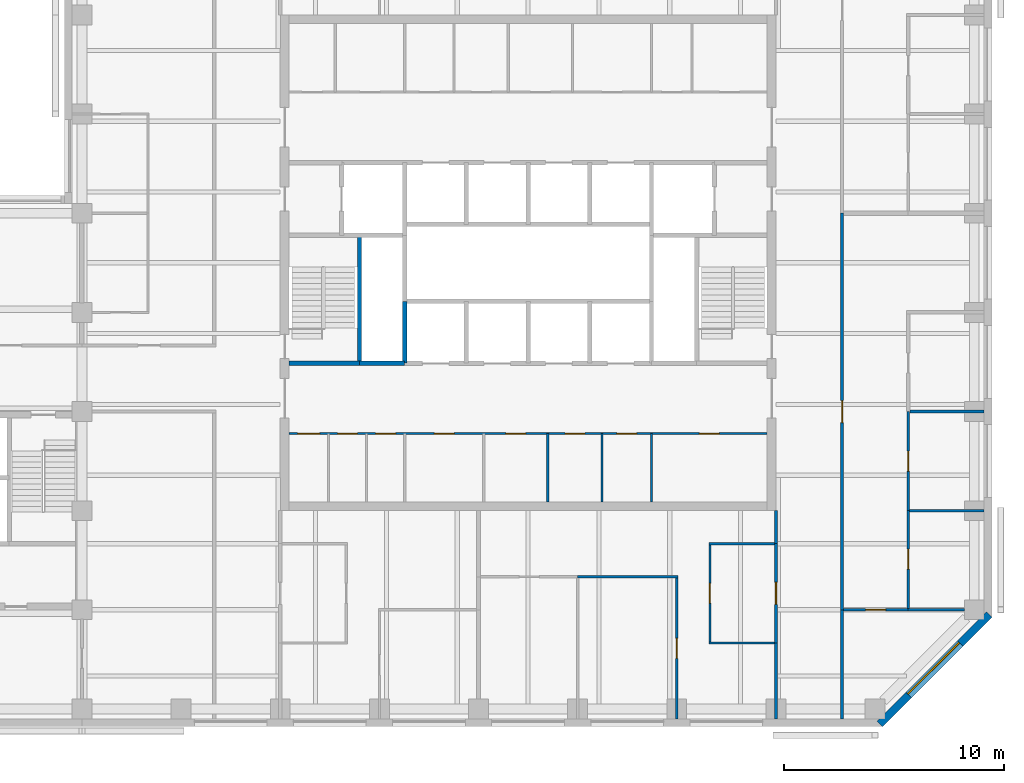
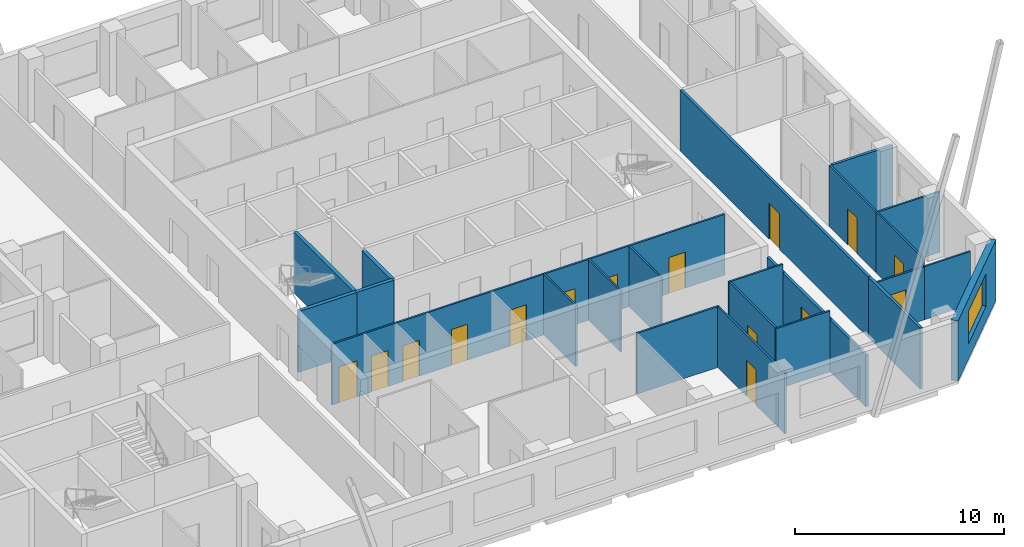
# One storey, part 5 of 10: 25 walls, 15 doors, 1 window, 16 openings.
"""IFC4 building model written with IfcOpenShell, lengths in metres."""

from ifc_helpers import new_model, si_unit, direction, frame, frame_2d, origin, place, context, subcontext, project, spatial, rectangle, extrude, material, layer, layer_set, constituent, constituent_set, type_object, element, fill, save


model = new_model("IFC4")

# Units and contexts
model_context = context("Model", 3, precision=1e-05, world=origin(), true_north=direction((0.0, 1.0)))
body_context = subcontext(model_context, "Body", "Model", "MODEL_VIEW")
ifc_project = project(units=[si_unit("LENGTHUNIT", "METRE"), si_unit("AREAUNIT", "SQUARE_METRE"), si_unit("VOLUMEUNIT", "CUBIC_METRE"), si_unit("PLANEANGLEUNIT", "RADIAN"), si_unit("MASSUNIT", "GRAM", prefix="KILO")], contexts=[model_context])

# Site, building, storey
site_placement = place(None, origin())
site = spatial("IfcSite", under=ifc_project, at=site_placement, CompositionType="ELEMENT")
building_placement = place(site_placement, origin())
building = spatial("IfcBuilding", under=site, at=building_placement, Name="Quoin Convention Tower", CompositionType="ELEMENT")
storey_placement = place(building_placement, frame((0.0, 0.0, 234.10009765625)))
storey = spatial("IfcBuildingStorey", under=building, at=storey_placement, Name="L61", CompositionType="ELEMENT", Elevation=234.10009765625)

# Wall
ifc_material_1 = material(Name="Plasterboard")
ifc_layer_1 = layer(ifc_material_1, 0.012451171875, Name="Finish")
ifc_material_2 = material(Name="Steel stud framing", Category="steel")
ifc_layer_2 = layer(ifc_material_2, 0.125, Name="Structure")
ifc_layer_3 = layer(ifc_material_1, 0.012451171875, Name="Finish")
ifc_layer_set_1 = layer_set([ifc_layer_1, ifc_layer_2, ifc_layer_3], Name="Steel stud framing")
wall_type_1 = type_object("IfcWallType", Name="Acoustic partition 150", PredefinedType="PARTITIONING", material=ifc_layer_set_1)
wall_1_placement = place(storey_placement, frame((73.574951171875, 54.0, 0.0), z_axis=(0.0, 0.0, 1.0), x_axis=(1.0, 0.0, 0.0)))
element("IfcWall", 1, at=wall_1_placement, inside=storey, type_object=wall_type_1, Name="pw-L61-017", PredefinedType="PARTITIONING", context=body_context, shape_type="SweptSolid", body=[
    extrude(rectangle(XDim=3.375, YDim=0.14990234375, at=frame_2d((1.6875, 0.0))), origin(), (0.0, 0.0, 1.0), 3.5498046875),
])

# Wall, opening, window
ifc_material_3 = material(Name="Brick masonry", Category="masonry")
ifc_layer_4 = layer(ifc_material_3, 0.35009765625)
ifc_layer_set_2 = layer_set([ifc_layer_4], Name="Brick masonry")
wall_type_2 = type_object("IfcWallType", Name="Brick facade wall", PredefinedType="STANDARD", material=ifc_layer_set_2)
wall_2_placement = place(storey_placement, frame((72.20751953125, 39.82373046875, 0.0), z_axis=(0.0, 0.0, 1.0), x_axis=(0.707106781187, 0.707106781187, 0.0)))
wall_2 = element("IfcWall", 2, at=wall_2_placement, inside=storey, type_object=wall_type_2, Name="fw-L61-72000_40500", PredefinedType="STANDARD", context=body_context, shape_type="SweptSolid", body=[
    extrude(rectangle(XDim=7.02685546875, YDim=0.35009765625, at=frame_2d((3.513427734375, 0.0))), origin(), (0.0, 0.0, 1.0), 3.52490234375),
])
opening_1_placement = place(wall_2_placement, frame((1.86328125, 0.0, 0.89990234375)))
opening_1 = element("IfcOpeningElement", 3, at=opening_1_placement, cuts=wall_2, Name="Opening W-02", PredefinedType="OPENING", context=body_context, shape_type="SweptSolid", body=[
    extrude(rectangle(XDim=3.300048828125, YDim=1.89990234375, at=frame_2d((1.64990234375, 0.949951171875))), frame((0.0, 0.18505859375, 0.0), z_axis=(0.0, -1.0, 0.0), x_axis=(1.0, 0.0, 0.0)), (0.0, 0.0, 1.0), 0.3701171875),
])
ifc_material_4 = material(Name="Aluminium", Category="aluminium")
ifc_constituent_1 = constituent(ifc_material_4, Name="Frame")
ifc_material_5 = material(Name="Insulated glass", Category="glass")
ifc_constituent_2 = constituent(ifc_material_5, Name="Glazing")
ifc_constituent_set = constituent_set(constituents=[ifc_constituent_1, ifc_constituent_2], Name="Aluminium")
window_type = type_object("IfcWindowType", Name="Office window", PartitioningType="DOUBLE_PANEL_VERTICAL", PredefinedType="WINDOW", material=ifc_constituent_set)
window_placement = place(opening_1_placement, origin())
window = element("IfcWindow", 4, at=window_placement, inside=storey, type_object=window_type, Name="win-L61-74692_42308", OverallHeight=1.89990234375, OverallWidth=3.300048828125, PartitioningType="SINGLE_PANEL", PredefinedType="WINDOW", context=body_context, shape_type="SweptSolid", body=[
    extrude(rectangle(XDim=3.300048828125, YDim=1.89990234375, at=frame_2d((1.64990234375, 0.949951171875))), frame((0.0, 0.0849609375, 0.0), z_axis=(0.0, -1.0, 0.0), x_axis=(1.0, 0.0, 0.0)), (0.0, 0.0, 1.0), 0.06005859375),
])
fill(opening_1, window)

# Wall, openings, doors
ifc_layer_5 = layer(ifc_material_1, 0.012451171875, Name="Finish")
ifc_layer_6 = layer(ifc_material_2, 0.074951171875, Name="Structure")
ifc_layer_7 = layer(ifc_material_1, 0.012451171875, Name="Finish")
ifc_layer_set_3 = layer_set([ifc_layer_5, ifc_layer_6, ifc_layer_7], Name="Steel stud framing")
wall_type_3 = type_object("IfcWallType", Name="Core partition wall", PredefinedType="PARTITIONING", material=ifc_layer_set_3)
wall_3_placement = place(storey_placement, frame((45.39990234375, 53.0, 0.0), z_axis=(0.0, 0.0, 1.0), x_axis=(1.0, 0.0, 0.0)))
wall_3 = element("IfcWall", 5, at=wall_3_placement, inside=storey, type_object=wall_type_3, Name="cr-C1-L61-h3500_400", PredefinedType="PARTITIONING", context=body_context, shape_type="SweptSolid", body=[
    extrude(rectangle(XDim=21.7001953125, YDim=0.10009765625, at=frame_2d((10.85009765625, 0.0))), origin(), (0.0, 0.0, 1.0), 3.5498046875),
])
opening_2_placement = place(wall_3_placement, frame((18.625, 0.0, 0.0)))
opening_2 = element("IfcOpeningElement", 6, at=opening_2_placement, cuts=wall_3, Name="Opening DCV3-30", PredefinedType="OPENING", context=body_context, shape_type="SweptSolid", body=[
    extrude(rectangle(XDim=0.89990234375, YDim=2.10009765625, at=frame_2d((0.449951171875, 1.050048828125))), frame((0.0, 0.06005859375, 0.0), z_axis=(0.0, -1.0, 0.0), x_axis=(1.0, 0.0, 0.0)), (0.0, 0.0, 1.0), 0.1201171875),
])
opening_3_placement = place(wall_3_placement, frame((0.392578125, 0.0, 0.0)))
opening_3 = element("IfcOpeningElement", 7, at=opening_3_placement, cuts=wall_3, Name="Opening DCV3-21", PredefinedType="OPENING", context=body_context, shape_type="SweptSolid", body=[
    extrude(rectangle(XDim=1.0, YDim=2.10009765625, at=frame_2d((0.5, 1.050048828125))), frame((0.0, 0.06005859375, 0.0), z_axis=(0.0, -1.0, 0.0), x_axis=(1.0, 0.0, 0.0)), (0.0, 0.0, 1.0), 0.1201171875),
])
opening_4_placement = place(wall_3_placement, frame((2.201416015625, 0.0, 0.0)))
opening_4 = element("IfcOpeningElement", 8, at=opening_4_placement, cuts=wall_3, Name="Opening DCV3-22", PredefinedType="OPENING", context=body_context, shape_type="SweptSolid", body=[
    extrude(rectangle(XDim=0.89990234375, YDim=2.10009765625, at=frame_2d((0.449951171875, 1.050048828125))), frame((0.0, 0.06005859375, 0.0), z_axis=(0.0, -1.0, 0.0), x_axis=(1.0, 0.0, 0.0)), (0.0, 0.0, 1.0), 0.1201171875),
])
opening_5_placement = place(wall_3_placement, frame((3.93359375, 0.0, 0.0)))
opening_5 = element("IfcOpeningElement", 9, at=opening_5_placement, cuts=wall_3, Name="Opening DCV3-23", PredefinedType="OPENING", context=body_context, shape_type="SweptSolid", body=[
    extrude(rectangle(XDim=0.89990234375, YDim=2.10009765625, at=frame_2d((0.449951171875, 1.050048828125))), frame((0.0, 0.06005859375, 0.0), z_axis=(0.0, -1.0, 0.0), x_axis=(1.0, 0.0, 0.0)), (0.0, 0.0, 1.0), 0.1201171875),
])
opening_6_placement = place(wall_3_placement, frame((6.592041015625, 0.0, 0.0)))
opening_6 = element("IfcOpeningElement", 10, at=opening_6_placement, cuts=wall_3, Name="Opening DCV3-24", PredefinedType="OPENING", context=body_context, shape_type="SweptSolid", body=[
    extrude(rectangle(XDim=0.89990234375, YDim=2.10009765625, at=frame_2d((0.449951171875, 1.050048828125))), frame((0.0, 0.06005859375, 0.0), z_axis=(0.0, -1.0, 0.0), x_axis=(1.0, 0.0, 0.0)), (0.0, 0.0, 1.0), 0.1201171875),
])
opening_7_placement = place(wall_3_placement, frame((9.840087890625, 0.0, 0.0)))
opening_7 = element("IfcOpeningElement", 11, at=opening_7_placement, cuts=wall_3, Name="Opening DCV3-26", PredefinedType="OPENING", context=body_context, shape_type="SweptSolid", body=[
    extrude(rectangle(XDim=0.89990234375, YDim=2.10009765625, at=frame_2d((0.449951171875, 1.050048828125))), frame((0.0, 0.06005859375, 0.0), z_axis=(0.0, -1.0, 0.0), x_axis=(1.0, 0.0, 0.0)), (0.0, 0.0, 1.0), 0.1201171875),
])
opening_8_placement = place(wall_3_placement, frame((12.528076171875, 0.0, 0.0)))
opening_8 = element("IfcOpeningElement", 12, at=opening_8_placement, cuts=wall_3, Name="Opening DCV3-27", PredefinedType="OPENING", context=body_context, shape_type="SweptSolid", body=[
    extrude(rectangle(XDim=0.89990234375, YDim=2.10009765625, at=frame_2d((0.449951171875, 1.050048828125))), frame((0.0, 0.06005859375, 0.0), z_axis=(0.0, -1.0, 0.0), x_axis=(1.0, 0.0, 0.0)), (0.0, 0.0, 1.0), 0.1201171875),
])
opening_9_placement = place(wall_3_placement, frame((14.8798828125, 0.0, 0.0)))
opening_9 = element("IfcOpeningElement", 13, at=opening_9_placement, cuts=wall_3, Name="Opening DCV3-29", PredefinedType="OPENING", context=body_context, shape_type="SweptSolid", body=[
    extrude(rectangle(XDim=0.89990234375, YDim=2.10009765625, at=frame_2d((0.449951171875, 1.050048828125))), frame((0.0, 0.06005859375, 0.0), z_axis=(0.0, -1.0, 0.0), x_axis=(1.0, 0.0, 0.0)), (0.0, 0.0, 1.0), 0.1201171875),
])
ifc_material_6 = material(Name="Steel door leaf", Category="steel")
door_type_1 = type_object("IfcDoorType", Name="Core room door 1000 x 2100", OperationType="SINGLE_SWING_LEFT", PredefinedType="DOOR", material=ifc_material_6)
door_1_placement = place(opening_3_placement, frame((1.0, 0.0, 0.0), z_axis=(0.0, 0.0, 1.0), x_axis=(-1.0, 0.0, 0.0)))
door_1 = element("IfcDoor", 14, at=door_1_placement, inside=storey, type_object=door_type_1, Name="cd-C1-L61-CSW0-lobA-CD6112", OperationType="SINGLE_SWING_LEFT", OverallHeight=2.10009765625, OverallWidth=1.0, PredefinedType="DOOR", context=body_context, shape_type="SweptSolid", body=[
    extrude(rectangle(XDim=1.0, YDim=2.10009765625, at=frame_2d((0.5, 1.050048828125))), frame((0.0, 0.02490234375, 0.0), z_axis=(0.0, -1.0, 0.0), x_axis=(1.0, 0.0, 0.0)), (0.0, 0.0, 1.0), 0.050048828125),
])
fill(opening_3, door_1)
door_type_2 = type_object("IfcDoorType", Name="Core room door 900 x 2100", OperationType="SINGLE_SWING_LEFT", PredefinedType="DOOR", material=ifc_material_6)
door_2_placement = place(opening_2_placement, frame((0.89990234375, 0.0, 0.0), z_axis=(0.0, 0.0, 1.0), x_axis=(-1.0, 0.0, 0.0)))
door_2 = element("IfcDoor", 15, at=door_2_placement, inside=storey, type_object=door_type_2, Name="cd-C1-L61-CSE0-lobA-CD6111", OperationType="SINGLE_SWING_RIGHT", OverallHeight=2.10009765625, OverallWidth=0.89990234375, PredefinedType="DOOR", context=body_context, shape_type="SweptSolid", body=[
    extrude(rectangle(XDim=0.89990234375, YDim=2.10009765625, at=frame_2d((0.449951171875, 1.050048828125))), frame((0.0, 0.02490234375, 0.0), z_axis=(0.0, -1.0, 0.0), x_axis=(1.0, 0.0, 0.0)), (0.0, 0.0, 1.0), 0.050048828125),
])
fill(opening_2, door_2)
door_3_placement = place(opening_4_placement, frame((0.89990234375, 0.0, 0.0), z_axis=(0.0, 0.0, 1.0), x_axis=(-1.0, 0.0, 0.0)))
door_3 = element("IfcDoor", 16, at=door_3_placement, inside=storey, type_object=door_type_2, Name="cd-C1-L61-CSW1-lobA-CD6113", OperationType="SINGLE_SWING_LEFT", OverallHeight=2.10009765625, OverallWidth=0.89990234375, PredefinedType="DOOR", context=body_context, shape_type="SweptSolid", body=[
    extrude(rectangle(XDim=0.89990234375, YDim=2.10009765625, at=frame_2d((0.449951171875, 1.050048828125))), frame((0.0, 0.02490234375, 0.0), z_axis=(0.0, -1.0, 0.0), x_axis=(1.0, 0.0, 0.0)), (0.0, 0.0, 1.0), 0.050048828125),
])
fill(opening_4, door_3)
door_4_placement = place(opening_5_placement, frame((0.89990234375, 0.0, 0.0), z_axis=(0.0, 0.0, 1.0), x_axis=(-1.0, 0.0, 0.0)))
door_4 = element("IfcDoor", 17, at=door_4_placement, inside=storey, type_object=door_type_2, Name="cd-C1-L61-CSW2-lobA-CD6114", OperationType="SINGLE_SWING_LEFT", OverallHeight=2.10009765625, OverallWidth=0.89990234375, PredefinedType="DOOR", context=body_context, shape_type="SweptSolid", body=[
    extrude(rectangle(XDim=0.89990234375, YDim=2.10009765625, at=frame_2d((0.449951171875, 1.050048828125))), frame((0.0, 0.02490234375, 0.0), z_axis=(0.0, -1.0, 0.0), x_axis=(1.0, 0.0, 0.0)), (0.0, 0.0, 1.0), 0.050048828125),
])
fill(opening_5, door_4)
door_5_placement = place(opening_6_placement, frame((0.89990234375, 0.0, 0.0), z_axis=(0.0, 0.0, 1.0), x_axis=(-1.0, 0.0, 0.0)))
door_5 = element("IfcDoor", 18, at=door_5_placement, inside=storey, type_object=door_type_2, Name="cd-C1-L61-F10-lobA-CD6115", OperationType="SINGLE_SWING_LEFT", OverallHeight=2.10009765625, OverallWidth=0.89990234375, PredefinedType="DOOR", context=body_context, shape_type="SweptSolid", body=[
    extrude(rectangle(XDim=0.89990234375, YDim=2.10009765625, at=frame_2d((0.449951171875, 1.050048828125))), frame((0.0, 0.02490234375, 0.0), z_axis=(0.0, -1.0, 0.0), x_axis=(1.0, 0.0, 0.0)), (0.0, 0.0, 1.0), 0.050048828125),
])
fill(opening_6, door_5)
door_6_placement = place(opening_7_placement, frame((0.89990234375, 0.0, 0.0), z_axis=(0.0, 0.0, 1.0), x_axis=(-1.0, 0.0, 0.0)))
door_6 = element("IfcDoor", 19, at=door_6_placement, inside=storey, type_object=door_type_2, Name="cd-C1-L61-F11-lobA-CD6116", OperationType="SINGLE_SWING_LEFT", OverallHeight=2.10009765625, OverallWidth=0.89990234375, PredefinedType="DOOR", context=body_context, shape_type="SweptSolid", body=[
    extrude(rectangle(XDim=0.89990234375, YDim=2.10009765625, at=frame_2d((0.449951171875, 1.050048828125))), frame((0.0, 0.02490234375, 0.0), z_axis=(0.0, -1.0, 0.0), x_axis=(1.0, 0.0, 0.0)), (0.0, 0.0, 1.0), 0.050048828125),
])
fill(opening_7, door_6)
door_7_placement = place(opening_8_placement, frame((0.89990234375, 0.0, 0.0), z_axis=(0.0, 0.0, 1.0), x_axis=(-1.0, 0.0, 0.0)))
door_7 = element("IfcDoor", 20, at=door_7_placement, inside=storey, type_object=door_type_2, Name="cd-C1-L61-F12-lobA-CD6117", OperationType="SINGLE_SWING_LEFT", OverallHeight=2.10009765625, OverallWidth=0.89990234375, PredefinedType="DOOR", context=body_context, shape_type="SweptSolid", body=[
    extrude(rectangle(XDim=0.89990234375, YDim=2.10009765625, at=frame_2d((0.449951171875, 1.050048828125))), frame((0.0, 0.02490234375, 0.0), z_axis=(0.0, -1.0, 0.0), x_axis=(1.0, 0.0, 0.0)), (0.0, 0.0, 1.0), 0.050048828125),
])
fill(opening_8, door_7)
door_8_placement = place(opening_9_placement, frame((0.89990234375, 0.0, 0.0), z_axis=(0.0, 0.0, 1.0), x_axis=(-1.0, 0.0, 0.0)))
door_8 = element("IfcDoor", 21, at=door_8_placement, inside=storey, type_object=door_type_2, Name="cd-C1-L61-F13-lobA-CD6118", OperationType="SINGLE_SWING_LEFT", OverallHeight=2.10009765625, OverallWidth=0.89990234375, PredefinedType="DOOR", context=body_context, shape_type="SweptSolid", body=[
    extrude(rectangle(XDim=0.89990234375, YDim=2.10009765625, at=frame_2d((0.449951171875, 1.050048828125))), frame((0.0, 0.02490234375, 0.0), z_axis=(0.0, -1.0, 0.0), x_axis=(1.0, 0.0, 0.0)), (0.0, 0.0, 1.0), 0.050048828125),
])
fill(opening_9, door_8)

# Walls
for number, where, z_axis, x_axis, name in (
    (22, (57.14599609375, 49.89990234375, 0.0), (0.0, 0.0, 1.0), (0.0, 1.0, 0.0), "cr-C1-L61-v12146_400"),
    (23, (59.610107421875, 49.89990234375, 0.0), (0.0, 0.0, 1.0), (0.0, 1.0, 0.0), "cr-C1-L61-v14610_400"),
    (24, (61.85009765625, 49.89990234375, 0.0), (0.0, 0.0, 1.0), (0.0, 1.0, 0.0), "cr-C1-L61-v16850_400"),
):
    element("IfcWall", number, at=place(storey_placement, frame(where, z_axis=z_axis, x_axis=x_axis)), inside=storey, type_object=wall_type_3, Name=name, PredefinedType="PARTITIONING", context=body_context, shape_type="SweptSolid", body=[
        extrude(rectangle(XDim=3.10009765625, YDim=0.10009765625, at=frame_2d((1.550048828125, 0.0))), origin(), (0.0, 0.0, 1.0), 3.5498046875),
    ])
ifc_material_7 = material(Name="Concrete C50", Category="concrete")
ifc_layer_8 = layer(ifc_material_7, 0.199951171875)
ifc_layer_set_4 = layer_set([ifc_layer_8], Name="Concrete C50")
wall_type_4 = type_object("IfcWallType", Name="Core shaft wall", PredefinedType="SOLIDWALL", material=ifc_layer_set_4)
wall_4_placement = place(storey_placement, frame((48.60009765625, 56.199951171875, 0.0), z_axis=(0.0, 0.0, 1.0), x_axis=(1.0, 0.0, 0.0)))
element("IfcWall", 25, at=wall_4_placement, inside=storey, type_object=wall_type_4, Name="cr-C1-L61-h6700_3600", PredefinedType="SOLIDWALL", context=body_context, shape_type="SweptSolid", body=[
    extrude(rectangle(XDim=2.0498046875, YDim=0.199951171875, at=frame_2d((1.02490234375, 0.0))), origin(), (0.0, 0.0, 1.0), 3.5498046875),
])
wall_5_placement = place(storey_placement, frame((45.39990234375, 56.199951171875, 0.0), z_axis=(0.0, 0.0, 1.0), x_axis=(1.0, 0.0, 0.0)))
element("IfcWall", 26, at=wall_5_placement, inside=storey, type_object=wall_type_4, Name="cr-C1-L61-h6700_400", PredefinedType="SOLIDWALL", context=body_context, shape_type="SweptSolid", body=[
    extrude(rectangle(XDim=3.2001953125, YDim=0.199951171875, at=frame_2d((1.60009765625, 0.0))), origin(), (0.0, 0.0, 1.0), 3.5498046875),
])
wall_6_placement = place(storey_placement, frame((48.60009765625, 56.199951171875, 0.0), z_axis=(0.0, 0.0, 1.0), x_axis=(0.0, 1.0, 0.0)))
element("IfcWall", 27, at=wall_6_placement, inside=storey, type_object=wall_type_4, Name="cr-C1-L61-v3600_6700", PredefinedType="SOLIDWALL", context=body_context, shape_type="SweptSolid", body=[
    extrude(rectangle(XDim=5.800048828125, YDim=0.199951171875, at=frame_2d((2.89990234375, 0.0))), origin(), (0.0, 0.0, 1.0), 3.5498046875),
])
wall_7_placement = place(storey_placement, frame((50.64990234375, 56.199951171875, 0.0), z_axis=(0.0, 0.0, 1.0), x_axis=(0.0, 1.0, 0.0)))
element("IfcWall", 28, at=wall_7_placement, inside=storey, type_object=wall_type_4, Name="cr-C1-L61-v5650_6700", PredefinedType="SOLIDWALL", context=body_context, shape_type="SweptSolid", body=[
    extrude(rectangle(XDim=2.800048828125, YDim=0.199951171875, at=frame_2d((1.39990234375, 0.0))), origin(), (0.0, 0.0, 1.0), 3.5498046875),
])
ifc_layer_9 = layer(ifc_material_1, 0.012451171875, Name="Finish")
ifc_layer_10 = layer(ifc_material_2, 0.125, Name="Structure")
ifc_layer_11 = layer(ifc_material_1, 0.012451171875, Name="Finish")
ifc_layer_set_5 = layer_set([ifc_layer_9, ifc_layer_10, ifc_layer_11], Name="Steel stud framing")
wall_type_5 = type_object("IfcWallType", Name="Corridor wall 150", PredefinedType="PARTITIONING", material=ifc_layer_set_5)
wall_8_placement = place(storey_placement, frame((70.5, 40.050048828125, 0.0), z_axis=(0.0, 0.0, 1.0), x_axis=(0.0, 1.0, 0.0)))
element("IfcWall", 29, at=wall_8_placement, inside=storey, type_object=wall_type_5, Name="pw-L61-042", PredefinedType="PARTITIONING", context=body_context, shape_type="SweptSolid", body=[
    extrude(rectangle(XDim=4.949951171875, YDim=0.14990234375, at=frame_2d((2.47509765625, 0.0))), origin(), (0.0, 0.0, 1.0), 3.5498046875),
])

# Wall, opening, door
wall_9_placement = place(storey_placement, frame((70.5, 45.0, 0.0), z_axis=(0.0, 0.0, 1.0), x_axis=(0.0, 1.0, 0.0)))
wall_9 = element("IfcWall", 30, at=wall_9_placement, inside=storey, type_object=wall_type_5, Name="pw-L61-050", PredefinedType="PARTITIONING", context=body_context, shape_type="SweptSolid", body=[
    extrude(rectangle(XDim=18.0, YDim=0.14990234375, at=frame_2d((9.0, 0.0))), origin(), (0.0, 0.0, 1.0), 3.5498046875),
])
opening_10_placement = place(wall_9_placement, frame((8.5, 0.0, 0.0)))
opening_10 = element("IfcOpeningElement", 31, at=opening_10_placement, cuts=wall_9, Name="Opening DOH11-16", PredefinedType="OPENING", context=body_context, shape_type="SweptSolid", body=[
    extrude(rectangle(XDim=1.0, YDim=2.10009765625, at=frame_2d((0.5, 1.050048828125))), frame((0.0, 0.0849609375, 0.0), z_axis=(0.0, -1.0, 0.0), x_axis=(1.0, 0.0, 0.0)), (0.0, 0.0, 1.0), 0.169921875),
])
door_type_3 = type_object("IfcDoorType", Name="Tenancy entrance door 1000 x 2100", OperationType="DOUBLE_DOOR_SINGLE_SWING", PredefinedType="DOOR", material=ifc_material_6)
door_9_placement = place(opening_10_placement, frame((1.0, 0.0, 0.0), z_axis=(0.0, 0.0, 1.0), x_axis=(-1.0, 0.0, 0.0)))
door_9 = element("IfcDoor", 32, at=door_9_placement, inside=storey, type_object=door_type_3, Name="dr-L61-24", OperationType="DOUBLE_DOOR_SINGLE_SWING", OverallHeight=2.10009765625, OverallWidth=1.0, PredefinedType="DOOR", context=body_context, shape_type="SweptSolid", body=[
    extrude(rectangle(XDim=1.0, YDim=2.10009765625, at=frame_2d((0.5, 1.050048828125))), frame((0.0, 0.02490234375, 0.0), z_axis=(0.0, -1.0, 0.0), x_axis=(1.0, 0.0, 0.0)), (0.0, 0.0, 1.0), 0.050048828125),
])
fill(opening_10, door_9)

# Wall
ifc_layer_12 = layer(ifc_material_1, 0.012451171875, Name="Finish")
ifc_layer_13 = layer(ifc_material_2, 0.125, Name="Structure")
ifc_layer_14 = layer(ifc_material_1, 0.012451171875, Name="Finish")
ifc_layer_set_6 = layer_set([ifc_layer_12, ifc_layer_13, ifc_layer_14], Name="Steel stud framing")
wall_type_6 = type_object("IfcWallType", Name="Corridor wall 150 under beam 528", PredefinedType="PARTITIONING", material=ifc_layer_set_6)
wall_10_placement = place(storey_placement, frame((67.5, 40.050048828125, 0.0), z_axis=(0.0, 0.0, 1.0), x_axis=(0.0, 1.0, 0.0)))
element("IfcWall", 33, at=wall_10_placement, inside=storey, type_object=wall_type_6, Name="pw-L61-041", PredefinedType="PARTITIONING", context=body_context, shape_type="SweptSolid", body=[
    extrude(rectangle(XDim=3.449951171875, YDim=0.14990234375, at=frame_2d((1.72509765625, 0.0))), origin(), (0.0, 0.0, 1.0), 3.02197265625),
])

# Wall, opening, door
wall_11_placement = place(storey_placement, frame((67.5, 43.5, 0.0), z_axis=(0.0, 0.0, 1.0), x_axis=(0.0, 1.0, 0.0)))
wall_11 = element("IfcWall", 34, at=wall_11_placement, inside=storey, type_object=wall_type_6, Name="pw-L61-045", PredefinedType="PARTITIONING", context=body_context, shape_type="SweptSolid", body=[
    extrude(rectangle(XDim=4.5, YDim=0.14990234375, at=frame_2d((2.25, 0.0))), origin(), (0.0, 0.0, 1.0), 3.02197265625),
])
opening_11_placement = place(wall_11_placement, frame((1.75, 0.0, 0.0)))
opening_11 = element("IfcOpeningElement", 35, at=opening_11_placement, cuts=wall_11, Name="Opening DOH11-13", PredefinedType="OPENING", context=body_context, shape_type="SweptSolid", body=[
    extrude(rectangle(XDim=1.0, YDim=2.10009765625, at=frame_2d((0.5, 1.050048828125))), frame((0.0, 0.0849609375, 0.0), z_axis=(0.0, -1.0, 0.0), x_axis=(1.0, 0.0, 0.0)), (0.0, 0.0, 1.0), 0.169921875),
])
door_10_placement = place(opening_11_placement, origin())
door_10 = element("IfcDoor", 36, at=door_10_placement, inside=storey, type_object=door_type_3, Name="dr-L61-13", OperationType="DOUBLE_DOOR_SINGLE_SWING", OverallHeight=2.10009765625, OverallWidth=1.0, PredefinedType="DOOR", context=body_context, shape_type="SweptSolid", body=[
    extrude(rectangle(XDim=1.0, YDim=2.10009765625, at=frame_2d((0.5, 1.050048828125))), frame((0.0, 0.02490234375, 0.0), z_axis=(0.0, -1.0, 0.0), x_axis=(1.0, 0.0, 0.0)), (0.0, 0.0, 1.0), 0.050048828125),
])
fill(opening_11, door_10)

# Walls
wall_12_placement = place(storey_placement, frame((67.5, 48.0, 0.0), z_axis=(0.0, 0.0, 1.0), x_axis=(0.0, 1.0, 0.0)))
element("IfcWall", 37, at=wall_12_placement, inside=storey, type_object=wall_type_6, Name="pw-L61-057", PredefinedType="PARTITIONING", context=body_context, shape_type="SweptSolid", body=[
    extrude(rectangle(XDim=1.5, YDim=0.14990234375, at=frame_2d((0.75, 0.0))), origin(), (0.0, 0.0, 1.0), 3.02197265625),
])
ifc_layer_15 = layer(ifc_material_1, 0.012451171875, Name="Finish")
ifc_layer_16 = layer(ifc_material_2, 0.074951171875, Name="Structure")
ifc_layer_17 = layer(ifc_material_1, 0.012451171875, Name="Finish")
ifc_layer_set_7 = layer_set([ifc_layer_15, ifc_layer_16, ifc_layer_17], Name="Steel stud framing")
wall_type_7 = type_object("IfcWallType", Name="Stud partition 100", PredefinedType="PARTITIONING", material=ifc_layer_set_7)
wall_13_placement = place(storey_placement, frame((64.449951171875, 43.5, 0.0), z_axis=(0.0, 0.0, 1.0), x_axis=(1.0, 0.0, 0.0)))
element("IfcWall", 38, at=wall_13_placement, inside=storey, type_object=wall_type_7, Name="pw-L61-002", PredefinedType="PARTITIONING", context=body_context, shape_type="SweptSolid", body=[
    extrude(rectangle(XDim=2.97509765625, YDim=0.10009765625, at=frame_2d((1.487548828125, 0.0))), origin(), (0.0, 0.0, 1.0), 3.5498046875),
])
wall_14_placement = place(storey_placement, frame((58.5, 46.5, 0.0), z_axis=(0.0, 0.0, 1.0), x_axis=(1.0, 0.0, 0.0)))
element("IfcWall", 39, at=wall_14_placement, inside=storey, type_object=wall_type_7, Name="pw-L61-010", PredefinedType="PARTITIONING", context=body_context, shape_type="SweptSolid", body=[
    extrude(rectangle(XDim=4.550048828125, YDim=0.10009765625, at=frame_2d((2.27490234375, 0.0))), origin(), (0.0, 0.0, 1.0), 3.5498046875),
])
wall_15_placement = place(storey_placement, frame((64.449951171875, 48.0, 0.0), z_axis=(0.0, 0.0, 1.0), x_axis=(1.0, 0.0, 0.0)))
element("IfcWall", 40, at=wall_15_placement, inside=storey, type_object=wall_type_7, Name="pw-L61-012", PredefinedType="PARTITIONING", context=body_context, shape_type="SweptSolid", body=[
    extrude(rectangle(XDim=2.97509765625, YDim=0.10009765625, at=frame_2d((1.487548828125, 0.0))), origin(), (0.0, 0.0, 1.0), 3.5498046875),
])
wall_16_placement = place(storey_placement, frame((73.550048828125, 49.5, 0.0), z_axis=(0.0, 0.0, 1.0), x_axis=(1.0, 0.0, 0.0)))
element("IfcWall", 41, at=wall_16_placement, inside=storey, type_object=wall_type_7, Name="pw-L61-014", PredefinedType="PARTITIONING", context=body_context, shape_type="SweptSolid", body=[
    extrude(rectangle(XDim=3.39990234375, YDim=0.10009765625, at=frame_2d((1.699951171875, 0.0))), origin(), (0.0, 0.0, 1.0), 3.5498046875),
])

# Wall, opening, door
wall_17_placement = place(storey_placement, frame((63.0, 40.050048828125, 0.0), z_axis=(0.0, 0.0, 1.0), x_axis=(0.0, 1.0, 0.0)))
wall_17 = element("IfcWall", 42, at=wall_17_placement, inside=storey, type_object=wall_type_7, Name="pw-L61-040", PredefinedType="PARTITIONING", context=body_context, shape_type="SweptSolid", body=[
    extrude(rectangle(XDim=6.39990234375, YDim=0.10009765625, at=frame_2d((3.199951171875, 0.0))), origin(), (0.0, 0.0, 1.0), 3.5498046875),
])
opening_12_placement = place(wall_17_placement, frame((2.75, 0.0, 0.0)))
opening_12 = element("IfcOpeningElement", 43, at=opening_12_placement, cuts=wall_17, Name="Opening DOH11-10", PredefinedType="OPENING", context=body_context, shape_type="SweptSolid", body=[
    extrude(rectangle(XDim=0.89990234375, YDim=2.10009765625, at=frame_2d((0.449951171875, 1.050048828125))), frame((0.0, 0.06005859375, 0.0), z_axis=(0.0, -1.0, 0.0), x_axis=(1.0, 0.0, 0.0)), (0.0, 0.0, 1.0), 0.1201171875),
])
door_type_4 = type_object("IfcDoorType", Name="Office door 900 x 2100", OperationType="SINGLE_SWING_RIGHT", PredefinedType="DOOR", material=ifc_material_6)
door_11_placement = place(opening_12_placement, frame((0.89990234375, 0.0, 0.0), z_axis=(0.0, 0.0, 1.0), x_axis=(-1.0, 0.0, 0.0)))
door_11 = element("IfcDoor", 44, at=door_11_placement, inside=storey, type_object=door_type_4, Name="dr-L61-16", OperationType="SINGLE_SWING_LEFT", OverallHeight=2.10009765625, OverallWidth=0.89990234375, PredefinedType="DOOR", context=body_context, shape_type="SweptSolid", body=[
    extrude(rectangle(XDim=0.89990234375, YDim=2.10009765625, at=frame_2d((0.449951171875, 1.050048828125))), frame((0.0, 0.02490234375, 0.0), z_axis=(0.0, -1.0, 0.0), x_axis=(1.0, 0.0, 0.0)), (0.0, 0.0, 1.0), 0.050048828125),
])
fill(opening_12, door_11)

wall_18_placement = place(storey_placement, frame((64.5, 43.550048828125, 0.0), z_axis=(0.0, 0.0, 1.0), x_axis=(0.0, 1.0, 0.0)))
wall_18 = element("IfcWall", 45, at=wall_18_placement, inside=storey, type_object=wall_type_7, Name="pw-L61-047", PredefinedType="PARTITIONING", context=body_context, shape_type="SweptSolid", body=[
    extrude(rectangle(XDim=4.39990234375, YDim=0.10009765625, at=frame_2d((2.199951171875, 0.0))), origin(), (0.0, 0.0, 1.0), 3.5498046875),
])
opening_13_placement = place(wall_18_placement, frame((1.75, 0.0, 0.0)))
opening_13 = element("IfcOpeningElement", 46, at=opening_13_placement, cuts=wall_18, Name="Opening DOH11-15", PredefinedType="OPENING", context=body_context, shape_type="SweptSolid", body=[
    extrude(rectangle(XDim=0.89990234375, YDim=2.10009765625, at=frame_2d((0.449951171875, 1.050048828125))), frame((0.0, 0.06005859375, 0.0), z_axis=(0.0, -1.0, 0.0), x_axis=(1.0, 0.0, 0.0)), (0.0, 0.0, 1.0), 0.1201171875),
])
door_12_placement = place(opening_13_placement, origin())
door_12 = element("IfcDoor", 47, at=door_12_placement, inside=storey, type_object=door_type_4, Name="dr-L61-14", OperationType="SINGLE_SWING_RIGHT", OverallHeight=2.10009765625, OverallWidth=0.89990234375, PredefinedType="DOOR", context=body_context, shape_type="SweptSolid", body=[
    extrude(rectangle(XDim=0.89990234375, YDim=2.10009765625, at=frame_2d((0.449951171875, 1.050048828125))), frame((0.0, 0.02490234375, 0.0), z_axis=(0.0, -1.0, 0.0), x_axis=(1.0, 0.0, 0.0)), (0.0, 0.0, 1.0), 0.050048828125),
])
fill(opening_13, door_12)

wall_19_placement = place(storey_placement, frame((73.5, 45.050048828125, 0.0), z_axis=(0.0, 0.0, 1.0), x_axis=(0.0, 1.0, 0.0)))
wall_19 = element("IfcWall", 48, at=wall_19_placement, inside=storey, type_object=wall_type_7, Name="pw-L61-051", PredefinedType="PARTITIONING", context=body_context, shape_type="SweptSolid", body=[
    extrude(rectangle(XDim=4.449951171875, YDim=0.10009765625, at=frame_2d((2.22509765625, 0.0))), origin(), (0.0, 0.0, 1.0), 3.5498046875),
])
opening_14_placement = place(wall_19_placement, frame((1.800048828125, 0.0, 0.0)))
opening_14 = element("IfcOpeningElement", 49, at=opening_14_placement, cuts=wall_19, Name="Opening DOH11-17", PredefinedType="OPENING", context=body_context, shape_type="SweptSolid", body=[
    extrude(rectangle(XDim=0.89990234375, YDim=2.10009765625, at=frame_2d((0.449951171875, 1.050048828125))), frame((0.0, 0.06005859375, 0.0), z_axis=(0.0, -1.0, 0.0), x_axis=(1.0, 0.0, 0.0)), (0.0, 0.0, 1.0), 0.1201171875),
])
door_13_placement = place(opening_14_placement, origin())
door_13 = element("IfcDoor", 50, at=door_13_placement, inside=storey, type_object=door_type_4, Name="dr-L61-26", OperationType="SINGLE_SWING_RIGHT", OverallHeight=2.10009765625, OverallWidth=0.89990234375, PredefinedType="DOOR", context=body_context, shape_type="SweptSolid", body=[
    extrude(rectangle(XDim=0.89990234375, YDim=2.10009765625, at=frame_2d((0.449951171875, 1.050048828125))), frame((0.0, 0.02490234375, 0.0), z_axis=(0.0, -1.0, 0.0), x_axis=(1.0, 0.0, 0.0)), (0.0, 0.0, 1.0), 0.050048828125),
])
fill(opening_14, door_13)

wall_20_placement = place(storey_placement, frame((73.5, 49.5, 0.0), z_axis=(0.0, 0.0, 1.0), x_axis=(0.0, 1.0, 0.0)))
wall_20 = element("IfcWall", 51, at=wall_20_placement, inside=storey, type_object=wall_type_7, Name="pw-L61-058", PredefinedType="PARTITIONING", context=body_context, shape_type="SweptSolid", body=[
    extrude(rectangle(XDim=4.5, YDim=0.10009765625, at=frame_2d((2.25, 0.0))), origin(), (0.0, 0.0, 1.0), 3.5498046875),
])
opening_15_placement = place(wall_20_placement, frame((1.800048828125, 0.0, 0.0)))
opening_15 = element("IfcOpeningElement", 52, at=opening_15_placement, cuts=wall_20, Name="Opening DOH11-18", PredefinedType="OPENING", context=body_context, shape_type="SweptSolid", body=[
    extrude(rectangle(XDim=0.89990234375, YDim=2.10009765625, at=frame_2d((0.449951171875, 1.050048828125))), frame((0.0, 0.06005859375, 0.0), z_axis=(0.0, -1.0, 0.0), x_axis=(1.0, 0.0, 0.0)), (0.0, 0.0, 1.0), 0.1201171875),
])
door_14_placement = place(opening_15_placement, origin())
door_14 = element("IfcDoor", 53, at=door_14_placement, inside=storey, type_object=door_type_4, Name="dr-L61-27", OperationType="SINGLE_SWING_RIGHT", OverallHeight=2.10009765625, OverallWidth=0.89990234375, PredefinedType="DOOR", context=body_context, shape_type="SweptSolid", body=[
    extrude(rectangle(XDim=0.89990234375, YDim=2.10009765625, at=frame_2d((0.449951171875, 1.050048828125))), frame((0.0, 0.02490234375, 0.0), z_axis=(0.0, -1.0, 0.0), x_axis=(1.0, 0.0, 0.0)), (0.0, 0.0, 1.0), 0.050048828125),
])
fill(opening_15, door_14)

ifc_layer_18 = layer(ifc_material_1, 0.012451171875, Name="Finish")
ifc_layer_19 = layer(ifc_material_2, 0.074951171875, Name="Structure")
ifc_layer_20 = layer(ifc_material_1, 0.012451171875, Name="Finish")
ifc_layer_set_8 = layer_set([ifc_layer_18, ifc_layer_19, ifc_layer_20], Name="Steel stud framing")
wall_type_8 = type_object("IfcWallType", Name="Stud partition 100 under beam 454", PredefinedType="PARTITIONING", material=ifc_layer_set_8)
wall_21_placement = place(storey_placement, frame((70.574951171875, 45.0, 0.0), z_axis=(0.0, 0.0, 1.0), x_axis=(1.0, 0.0, 0.0)))
wall_21 = element("IfcWall", 54, at=wall_21_placement, inside=storey, type_object=wall_type_8, Name="pw-L61-006", PredefinedType="PARTITIONING", context=body_context, shape_type="SweptSolid", body=[
    extrude(rectangle(XDim=2.925048828125, YDim=0.10009765625, at=frame_2d((1.46240234375, 0.0))), origin(), (0.0, 0.0, 1.0), 3.095947265625),
])
opening_16_placement = place(wall_21_placement, frame((1.0, 0.0, 0.0)))
opening_16 = element("IfcOpeningElement", 55, at=opening_16_placement, cuts=wall_21, Name="Opening DOH11-01", PredefinedType="OPENING", context=body_context, shape_type="SweptSolid", body=[
    extrude(rectangle(XDim=0.89990234375, YDim=2.10009765625, at=frame_2d((0.449951171875, 1.050048828125))), frame((0.0, 0.06005859375, 0.0), z_axis=(0.0, -1.0, 0.0), x_axis=(1.0, 0.0, 0.0)), (0.0, 0.0, 1.0), 0.1201171875),
])
door_15_placement = place(opening_16_placement, origin())
door_15 = element("IfcDoor", 56, at=door_15_placement, inside=storey, type_object=door_type_4, Name="dr-L61-25", OperationType="SINGLE_SWING_RIGHT", OverallHeight=2.10009765625, OverallWidth=0.89990234375, PredefinedType="DOOR", context=body_context, shape_type="SweptSolid", body=[
    extrude(rectangle(XDim=0.89990234375, YDim=2.10009765625, at=frame_2d((0.449951171875, 1.050048828125))), frame((0.0, 0.02490234375, 0.0), z_axis=(0.0, -1.0, 0.0), x_axis=(1.0, 0.0, 0.0)), (0.0, 0.0, 1.0), 0.050048828125),
])
fill(opening_16, door_15)

# Wall
wall_22_placement = place(storey_placement, frame((73.5, 45.0, 0.0), z_axis=(0.0, 0.0, 1.0), x_axis=(1.0, 0.0, 0.0)))
element("IfcWall", 57, at=wall_22_placement, inside=storey, type_object=wall_type_8, Name="pw-L61-007", PredefinedType="PARTITIONING", context=body_context, shape_type="SweptSolid", body=[
    extrude(rectangle(XDim=2.550048828125, YDim=0.10009765625, at=frame_2d((1.27490234375, 0.0))), origin(), (0.0, 0.0, 1.0), 3.095947265625),
])

save(model, "model.ifc")
